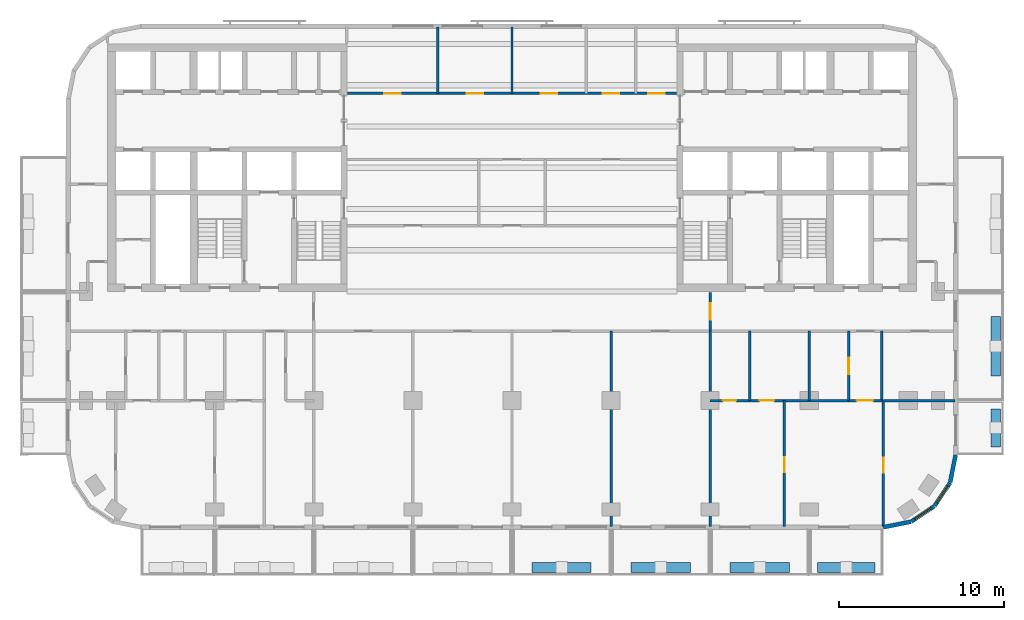
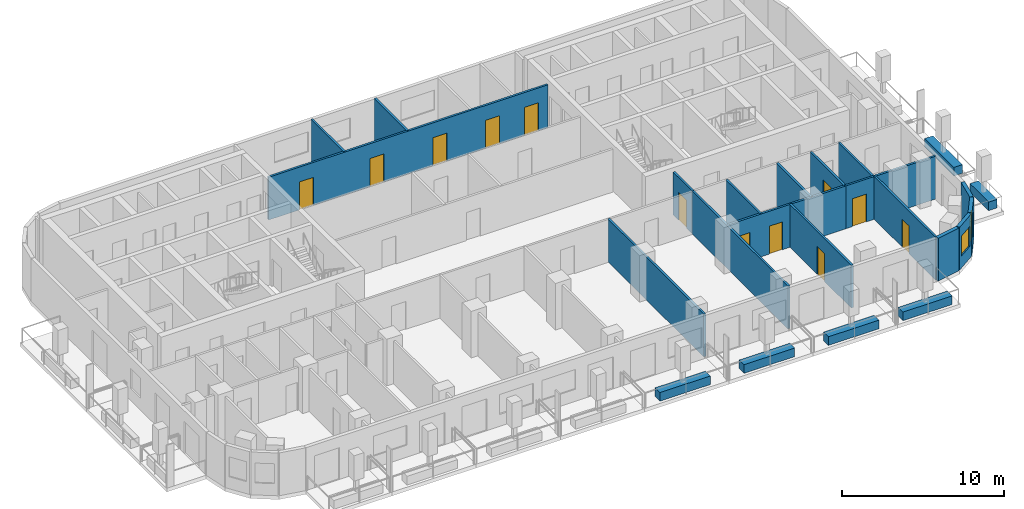
# One storey, part 5 of 11: 25 walls, 12 doors, 2 windows, 14 openings.
"""IFC4 building model written with IfcOpenShell, lengths in metres."""

from ifc_helpers import new_model, si_unit, direction, frame, frame_2d, origin, place, context, subcontext, project, spatial, rectangle, extrude, material, layer, layer_set, type_object, element, fill, save


model = new_model("IFC4")

# Units and contexts
model_context = context("Model", 3, precision=1e-05, world=origin(), true_north=direction((0.0, 1.0)))
body_context = subcontext(model_context, "Body", "Model", "MODEL_VIEW")
ifc_project = project(units=[si_unit("LENGTHUNIT", "METRE"), si_unit("AREAUNIT", "SQUARE_METRE"), si_unit("VOLUMEUNIT", "CUBIC_METRE"), si_unit("PLANEANGLEUNIT", "RADIAN"), si_unit("MASSUNIT", "GRAM", prefix="KILO")], contexts=[model_context])

# Site, building, storey
site_placement = place(None, origin())
site = spatial("IfcSite", under=ifc_project, at=site_placement, CompositionType="ELEMENT")
building_placement = place(site_placement, origin())
building = spatial("IfcBuilding", under=site, at=building_placement, Name="Torana Hotel and Residences", CompositionType="ELEMENT")
storey_placement = place(building_placement, frame((0.0, 0.0, 239.60009765625)))
storey = spatial("IfcBuildingStorey", under=building, at=storey_placement, Name="L63", CompositionType="ELEMENT", Elevation=239.60009765625)

# Wall
ifc_material_1 = material(Name="Black aluminium composite panel", Category="aluminium")
ifc_layer_1 = layer(ifc_material_1, 0.00390625, Name="Cladding", Category="cladding")
ifc_material_2 = material(Name="Ventilated air cavity")
ifc_layer_2 = layer(ifc_material_2, 0.0400390625, Name="Ventilated cavity", Category="cavity")
ifc_material_3 = material(Name="Mineral wool insulation")
ifc_layer_3 = layer(ifc_material_3, 0.090087890625, Name="Insulation", Category="insulation")
ifc_material_4 = material(Name="Steel S280GD", Category="steel")
ifc_layer_4 = layer(ifc_material_4, 0.092041015625, Name="Steel stud frame", Category="structure")
ifc_material_5 = material(Name="Fire rated plasterboard")
ifc_layer_5 = layer(ifc_material_5, 0.011962890625, Name="Inner board", Category="finish")
ifc_layer_6 = layer(ifc_material_5, 0.011962890625, Name="Second board", Category="finish")
ifc_layer_set_1 = layer_set([ifc_layer_1, ifc_layer_2, ifc_layer_3, ifc_layer_4, ifc_layer_5, ifc_layer_6], Name="EW1 EXTERNAL WALL BLACK METAL CLAD 250")
wall_type_1 = type_object("IfcWallType", Name="EW1 EXTERNAL WALL BLACK METAL CLAD 250", PredefinedType="SOLIDWALL", material=ifc_layer_set_1)
wall_1_placement = place(storey_placement, frame((22.499755859375, -29.272705078125, 0.0), z_axis=(0.0, 0.0, 1.0), x_axis=(0.980775640221, 0.19513878023, 0.0)))
element("IfcWall", 1, at=wall_1_placement, inside=storey, type_object=wall_type_1, Name="External wall L63 e0.15", PredefinedType="SOLIDWALL", context=body_context, shape_type="SweptSolid", body=[
    extrude(rectangle(XDim=1.681396484375, YDim=0.25, at=frame_2d((0.8408203125, 0.0))), origin(), (0.0, 0.0, 1.0), 3.219970703125),
])

# Wall, opening, window
wall_2_placement = place(storey_placement, frame((24.194091796875, -28.92578125, 0.0), z_axis=(0.0, 0.0, 1.0), x_axis=(0.831482937015, 0.55555029066, 0.0)))
wall_2 = element("IfcWall", 2, at=wall_2_placement, inside=storey, type_object=wall_type_1, Name="External wall L63 e0.16", PredefinedType="SOLIDWALL", context=body_context, shape_type="SweptSolid", body=[
    extrude(rectangle(XDim=1.65625, YDim=0.25, at=frame_2d((0.828125, 0.0))), origin(), (0.0, 0.0, 1.0), 3.219970703125),
])
opening_1_placement = place(wall_2_placement, frame((0.228271484375, 0.0, 0.89990234375)))
opening_1 = element("IfcOpeningElement", 3, at=opening_1_placement, cuts=wall_2, Name="Opening W5", PredefinedType="OPENING", context=body_context, shape_type="SweptSolid", body=[
    extrude(rectangle(XDim=1.199951171875, YDim=1.5, at=frame_2d((0.60009765625, 0.75))), frame((0.0, 0.135009765625, 0.0), z_axis=(0.0, -1.0, 0.0), x_axis=(1.0, 0.0, 0.0)), (0.0, 0.0, 1.0), 0.27001953125),
])
ifc_material_6 = material(Name="Dark glass in black aluminium frame", Category="aluminium")
window_type = type_object("IfcWindowType", Name="W5 CORNER FACET WINDOW 1200x1500", PartitioningType="SINGLE_PANEL", PredefinedType="WINDOW", material=ifc_material_6)
window_1_placement = place(opening_1_placement, origin())
window_1 = element("IfcWindow", 4, at=window_1_placement, inside=storey, type_object=window_type, Name="Window L63 e0.16", OverallHeight=1.5, OverallWidth=1.199951171875, PartitioningType="SINGLE_PANEL", PredefinedType="WINDOW", context=body_context, shape_type="SweptSolid", body=[
    extrude(rectangle(XDim=1.199951171875, YDim=1.5, at=frame_2d((0.60009765625, 0.75))), frame((0.0, 0.030029296875, 0.0), z_axis=(0.0, -1.0, 0.0), x_axis=(1.0, 0.0, 0.0)), (0.0, 0.0, 1.0), 0.06005859375),
])
fill(opening_1, window_1)

wall_3_placement = place(storey_placement, frame((25.605712890625, -27.97119140625, 0.0), z_axis=(0.0, 0.0, 1.0), x_axis=(0.55555029066, 0.831482937015, 0.0)))
wall_3 = element("IfcWall", 5, at=wall_3_placement, inside=storey, type_object=wall_type_1, Name="External wall L63 e0.17", PredefinedType="SOLIDWALL", context=body_context, shape_type="SweptSolid", body=[
    extrude(rectangle(XDim=1.65625, YDim=0.25, at=frame_2d((0.828125, 0.0))), origin(), (0.0, 0.0, 1.0), 3.219970703125),
])
opening_2_placement = place(wall_3_placement, frame((0.228271484375, 0.0, 0.89990234375)))
opening_2 = element("IfcOpeningElement", 6, at=opening_2_placement, cuts=wall_3, Name="Opening W5", PredefinedType="OPENING", context=body_context, shape_type="SweptSolid", body=[
    extrude(rectangle(XDim=1.199951171875, YDim=1.5, at=frame_2d((0.60009765625, 0.75))), frame((0.0, 0.135009765625, 0.0), z_axis=(0.0, -1.0, 0.0), x_axis=(1.0, 0.0, 0.0)), (0.0, 0.0, 1.0), 0.27001953125),
])
window_2_placement = place(opening_2_placement, origin())
window_2 = element("IfcWindow", 7, at=window_2_placement, inside=storey, type_object=window_type, Name="Window L63 e0.17", OverallHeight=1.5, OverallWidth=1.199951171875, PartitioningType="SINGLE_PANEL", PredefinedType="WINDOW", context=body_context, shape_type="SweptSolid", body=[
    extrude(rectangle(XDim=1.199951171875, YDim=1.5, at=frame_2d((0.60009765625, 0.75))), frame((0.0, 0.030029296875, 0.0), z_axis=(0.0, -1.0, 0.0), x_axis=(1.0, 0.0, 0.0)), (0.0, 0.0, 1.0), 0.06005859375),
])
fill(opening_2, window_2)

# Walls
wall_4_placement = place(storey_placement, frame((26.544677734375, -26.548828125, 0.0), z_axis=(0.0, 0.0, 1.0), x_axis=(0.195026884138, 0.980797896849, 0.0)))
element("IfcWall", 8, at=wall_4_placement, inside=storey, type_object=wall_type_1, Name="External wall L63 e0.18", PredefinedType="SOLIDWALL", context=body_context, shape_type="SweptSolid", body=[
    extrude(rectangle(XDim=1.68115234375, YDim=0.25, at=frame_2d((0.840576171875, 0.0))), origin(), (0.0, 0.0, 1.0), 3.219970703125),
])
ifc_material_7 = material(Name="Gypsum plaster")
ifc_layer_7 = layer(ifc_material_7, 0.014892578125, Name="Plaster", Category="finish")
ifc_material_8 = material(Name="Concrete blockwork", Category="masonry")
ifc_layer_8 = layer(ifc_material_8, 0.1201171875, Name="Blockwork", Category="structure")
ifc_layer_9 = layer(ifc_material_7, 0.014892578125, Name="Plaster", Category="finish")
ifc_layer_set_2 = layer_set([ifc_layer_7, ifc_layer_8, ifc_layer_9], Name="FIRE PARTITION 150 BLOCKWORK")
wall_type_2 = type_object("IfcWallType", Name="FIRE PARTITION 150 BLOCKWORK", PredefinedType="PARTITIONING", material=ifc_layer_set_2)
wall_5_placement = place(storey_placement, frame((22.39990234375, -21.60009765625, 0.0), z_axis=(0.0, 0.0, 1.0), x_axis=(0.0, 1.0, 0.0)))
element("IfcWall", 9, at=wall_5_placement, inside=storey, type_object=wall_type_2, Name="Partition L63", PredefinedType="PARTITIONING", context=body_context, shape_type="SweptSolid", body=[
    extrude(rectangle(XDim=4.2001953125, YDim=0.14990234375, at=frame_2d((2.10009765625, 0.0))), origin(), (0.0, 0.0, 1.0), 3.219970703125),
])

# Wall, opening, door
wall_6_placement = place(storey_placement, frame((20.39990234375, -21.60009765625, 0.0), z_axis=(0.0, 0.0, 1.0), x_axis=(0.0, 1.0, 0.0)))
wall_6 = element("IfcWall", 10, at=wall_6_placement, inside=storey, type_object=wall_type_2, Name="Partition L63", PredefinedType="PARTITIONING", context=body_context, shape_type="SweptSolid", body=[
    extrude(rectangle(XDim=4.2001953125, YDim=0.14990234375, at=frame_2d((2.10009765625, 0.0))), origin(), (0.0, 0.0, 1.0), 3.219970703125),
])
opening_3_placement = place(wall_6_placement, frame((1.60009765625, 0.0, 0.0)))
opening_3 = element("IfcOpeningElement", 11, at=opening_3_placement, cuts=wall_6, Name="Opening L63-64", PredefinedType="OPENING", context=body_context, shape_type="SweptSolid", body=[
    extrude(rectangle(XDim=1.0, YDim=2.10009765625, at=frame_2d((0.5, 1.050048828125))), frame((0.0, 0.0849609375, 0.0), z_axis=(0.0, -1.0, 0.0), x_axis=(1.0, 0.0, 0.0)), (0.0, 0.0, 1.0), 0.169921875),
])
ifc_material_9 = material(Name="Steel S235", Category="steel")
door_type_1 = type_object("IfcDoorType", Name="ENTRY FIRE DOOR D6 1000x2100", OperationType="SINGLE_SWING_LEFT", PredefinedType="DOOR", material=ifc_material_9)
door_1_placement = place(opening_3_placement, origin())
door_1 = element("IfcDoor", 12, at=door_1_placement, inside=storey, type_object=door_type_1, Name="Door L63", OperationType="SINGLE_SWING_RIGHT", OverallHeight=2.10009765625, OverallWidth=1.0, PredefinedType="DOOR", context=body_context, shape_type="SweptSolid", body=[
    extrude(rectangle(XDim=1.0, YDim=2.10009765625, at=frame_2d((0.5, 1.050048828125))), frame((0.0, 0.02490234375, 0.0), z_axis=(0.0, -1.0, 0.0), x_axis=(1.0, 0.0, 0.0)), (0.0, 0.0, 1.0), 0.050048828125),
])
fill(opening_3, door_1)

wall_7_placement = place(storey_placement, frame((12.0, -17.39990234375, 0.0), z_axis=(0.0, 0.0, 1.0), x_axis=(0.0, 1.0, 0.0)))
wall_7 = element("IfcWall", 13, at=wall_7_placement, inside=storey, type_object=wall_type_2, Name="Partition L63", PredefinedType="PARTITIONING", context=body_context, shape_type="SweptSolid", body=[
    extrude(rectangle(XDim=2.349853515625, YDim=0.14990234375, at=frame_2d((1.1748046875, 0.0))), origin(), (0.0, 0.0, 1.0), 3.219970703125),
])
opening_4_placement = place(wall_7_placement, frame((0.699951171875, 0.0, 0.0)))
opening_4 = element("IfcOpeningElement", 14, at=opening_4_placement, cuts=wall_7, Name="Opening L63-38", PredefinedType="OPENING", context=body_context, shape_type="SweptSolid", body=[
    extrude(rectangle(XDim=1.0, YDim=2.10009765625, at=frame_2d((0.5, 1.050048828125))), frame((0.0, 0.0849609375, 0.0), z_axis=(0.0, -1.0, 0.0), x_axis=(1.0, 0.0, 0.0)), (0.0, 0.0, 1.0), 0.169921875),
])
door_2_placement = place(opening_4_placement, origin())
door_2 = element("IfcDoor", 15, at=door_2_placement, inside=storey, type_object=door_type_1, Name="Door L63", OperationType="SINGLE_SWING_RIGHT", OverallHeight=2.10009765625, OverallWidth=1.0, PredefinedType="DOOR", context=body_context, shape_type="SweptSolid", body=[
    extrude(rectangle(XDim=1.0, YDim=2.10009765625, at=frame_2d((0.5, 1.050048828125))), frame((0.0, 0.02490234375, 0.0), z_axis=(0.0, -1.0, 0.0), x_axis=(1.0, 0.0, 0.0)), (0.0, 0.0, 1.0), 0.050048828125),
])
fill(opening_4, door_2)

wall_8_placement = place(storey_placement, frame((20.39990234375, -21.60009765625, 0.0), z_axis=(0.0, 0.0, 1.0), x_axis=(1.0, 0.0, 0.0)))
wall_8 = element("IfcWall", 16, at=wall_8_placement, inside=storey, type_object=wall_type_2, Name="Partition L63", PredefinedType="PARTITIONING", context=body_context, shape_type="SweptSolid", body=[
    extrude(rectangle(XDim=2.0, YDim=0.14990234375, at=frame_2d((1.0, 0.0))), origin(), (0.0, 0.0, 1.0), 3.219970703125),
])
opening_5_placement = place(wall_8_placement, frame((0.47998046875, 0.0, 0.0)))
opening_5 = element("IfcOpeningElement", 17, at=opening_5_placement, cuts=wall_8, Name="Opening L63-65", PredefinedType="OPENING", context=body_context, shape_type="SweptSolid", body=[
    extrude(rectangle(XDim=1.0, YDim=2.10009765625, at=frame_2d((0.5, 1.050048828125))), frame((0.0, 0.0849609375, 0.0), z_axis=(0.0, -1.0, 0.0), x_axis=(1.0, 0.0, 0.0)), (0.0, 0.0, 1.0), 0.169921875),
])
door_3_placement = place(opening_5_placement, frame((0.5, 0.0, 0.0), z_axis=(0.0, 0.0, 1.0), x_axis=(-1.0, 0.0, 0.0)))
door_3 = element("IfcDoor", 18, at=door_3_placement, inside=storey, type_object=door_type_1, Name="Door L63", OperationType="SINGLE_SWING_RIGHT", OverallHeight=2.10009765625, OverallWidth=1.0, PredefinedType="DOOR", context=body_context, shape_type="SweptSolid", body=[
    extrude(rectangle(XDim=1.0, YDim=2.10009765625, at=frame_2d((0.0, 1.050048828125))), frame((0.0, -0.02490234375, 0.0), z_axis=(0.0, 1.0, 0.0), x_axis=(-1.0, 0.0, 0.0)), (0.0, 0.0, 1.0), 0.050048828125),
])
fill(opening_5, door_3)

# Wall, openings, doors
wall_9_placement = place(storey_placement, frame((-9.949951171875, -3.0, 0.0), z_axis=(0.0, 0.0, 1.0), x_axis=(1.0, 0.0, 0.0)))
wall_9 = element("IfcWall", 19, at=wall_9_placement, inside=storey, type_object=wall_type_2, Name="Partition L63", PredefinedType="PARTITIONING", context=body_context, shape_type="SweptSolid", body=[
    extrude(rectangle(XDim=19.89990234375, YDim=0.14990234375, at=frame_2d((9.949951171875, 0.0))), origin(), (0.0, 0.0, 1.0), 3.219970703125),
])
opening_6_placement = place(wall_9_placement, frame((2.199951171875, 0.0, 0.0)))
opening_6 = element("IfcOpeningElement", 20, at=opening_6_placement, cuts=wall_9, Name="Opening L63-50", PredefinedType="OPENING", context=body_context, shape_type="SweptSolid", body=[
    extrude(rectangle(XDim=1.0, YDim=2.10009765625, at=frame_2d((0.5, 1.050048828125))), frame((0.0, 0.0849609375, 0.0), z_axis=(0.0, -1.0, 0.0), x_axis=(1.0, 0.0, 0.0)), (0.0, 0.0, 1.0), 0.169921875),
])
opening_7_placement = place(wall_9_placement, frame((7.199951171875, 0.0, 0.0)))
opening_7 = element("IfcOpeningElement", 21, at=opening_7_placement, cuts=wall_9, Name="Opening L63-51", PredefinedType="OPENING", context=body_context, shape_type="SweptSolid", body=[
    extrude(rectangle(XDim=1.0, YDim=2.10009765625, at=frame_2d((0.5, 1.050048828125))), frame((0.0, 0.0849609375, 0.0), z_axis=(0.0, -1.0, 0.0), x_axis=(1.0, 0.0, 0.0)), (0.0, 0.0, 1.0), 0.169921875),
])
opening_8_placement = place(wall_9_placement, frame((11.699951171875, 0.0, 0.0)))
opening_8 = element("IfcOpeningElement", 22, at=opening_8_placement, cuts=wall_9, Name="Opening L63-52", PredefinedType="OPENING", context=body_context, shape_type="SweptSolid", body=[
    extrude(rectangle(XDim=1.0, YDim=2.10009765625, at=frame_2d((0.5, 1.050048828125))), frame((0.0, 0.0849609375, 0.0), z_axis=(0.0, -1.0, 0.0), x_axis=(1.0, 0.0, 0.0)), (0.0, 0.0, 1.0), 0.169921875),
])
opening_9_placement = place(wall_9_placement, frame((15.449951171875, 0.0, 0.0)))
opening_9 = element("IfcOpeningElement", 23, at=opening_9_placement, cuts=wall_9, Name="Opening L63-53", PredefinedType="OPENING", context=body_context, shape_type="SweptSolid", body=[
    extrude(rectangle(XDim=1.0, YDim=2.10009765625, at=frame_2d((0.5, 1.050048828125))), frame((0.0, 0.0849609375, 0.0), z_axis=(0.0, -1.0, 0.0), x_axis=(1.0, 0.0, 0.0)), (0.0, 0.0, 1.0), 0.169921875),
])
opening_10_placement = place(wall_9_placement, frame((18.199951171875, 0.0, 0.0)))
opening_10 = element("IfcOpeningElement", 24, at=opening_10_placement, cuts=wall_9, Name="Opening L63-54", PredefinedType="OPENING", context=body_context, shape_type="SweptSolid", body=[
    extrude(rectangle(XDim=1.0, YDim=2.10009765625, at=frame_2d((0.5, 1.050048828125))), frame((0.0, 0.0849609375, 0.0), z_axis=(0.0, -1.0, 0.0), x_axis=(1.0, 0.0, 0.0)), (0.0, 0.0, 1.0), 0.169921875),
])
door_4_placement = place(opening_6_placement, origin())
door_4 = element("IfcDoor", 25, at=door_4_placement, inside=storey, type_object=door_type_1, Name="Door L63", OperationType="SINGLE_SWING_RIGHT", OverallHeight=2.10009765625, OverallWidth=1.0, PredefinedType="DOOR", context=body_context, shape_type="SweptSolid", body=[
    extrude(rectangle(XDim=1.0, YDim=2.10009765625, at=frame_2d((0.5, 1.050048828125))), frame((0.0, 0.02490234375, 0.0), z_axis=(0.0, -1.0, 0.0), x_axis=(1.0, 0.0, 0.0)), (0.0, 0.0, 1.0), 0.050048828125),
])
fill(opening_6, door_4)
door_5_placement = place(opening_7_placement, origin())
door_5 = element("IfcDoor", 26, at=door_5_placement, inside=storey, type_object=door_type_1, Name="Door L63", OperationType="SINGLE_SWING_RIGHT", OverallHeight=2.10009765625, OverallWidth=1.0, PredefinedType="DOOR", context=body_context, shape_type="SweptSolid", body=[
    extrude(rectangle(XDim=1.0, YDim=2.10009765625, at=frame_2d((0.5, 1.050048828125))), frame((0.0, 0.02490234375, 0.0), z_axis=(0.0, -1.0, 0.0), x_axis=(1.0, 0.0, 0.0)), (0.0, 0.0, 1.0), 0.050048828125),
])
fill(opening_7, door_5)
door_6_placement = place(opening_8_placement, origin())
door_6 = element("IfcDoor", 27, at=door_6_placement, inside=storey, type_object=door_type_1, Name="Door L63", OperationType="SINGLE_SWING_RIGHT", OverallHeight=2.10009765625, OverallWidth=1.0, PredefinedType="DOOR", context=body_context, shape_type="SweptSolid", body=[
    extrude(rectangle(XDim=1.0, YDim=2.10009765625, at=frame_2d((0.5, 1.050048828125))), frame((0.0, 0.02490234375, 0.0), z_axis=(0.0, -1.0, 0.0), x_axis=(1.0, 0.0, 0.0)), (0.0, 0.0, 1.0), 0.050048828125),
])
fill(opening_8, door_6)
door_7_placement = place(opening_9_placement, origin())
door_7 = element("IfcDoor", 28, at=door_7_placement, inside=storey, type_object=door_type_1, Name="Door L63", OperationType="SINGLE_SWING_RIGHT", OverallHeight=2.10009765625, OverallWidth=1.0, PredefinedType="DOOR", context=body_context, shape_type="SweptSolid", body=[
    extrude(rectangle(XDim=1.0, YDim=2.10009765625, at=frame_2d((0.5, 1.050048828125))), frame((0.0, 0.02490234375, 0.0), z_axis=(0.0, -1.0, 0.0), x_axis=(1.0, 0.0, 0.0)), (0.0, 0.0, 1.0), 0.050048828125),
])
fill(opening_9, door_7)
door_8_placement = place(opening_10_placement, origin())
door_8 = element("IfcDoor", 29, at=door_8_placement, inside=storey, type_object=door_type_1, Name="Door L63", OperationType="SINGLE_SWING_RIGHT", OverallHeight=2.10009765625, OverallWidth=1.0, PredefinedType="DOOR", context=body_context, shape_type="SweptSolid", body=[
    extrude(rectangle(XDim=1.0, YDim=2.10009765625, at=frame_2d((0.5, 1.050048828125))), frame((0.0, 0.02490234375, 0.0), z_axis=(0.0, -1.0, 0.0), x_axis=(1.0, 0.0, 0.0)), (0.0, 0.0, 1.0), 0.050048828125),
])
fill(opening_10, door_8)

# Wall, opening, door
ifc_material_10 = material(Name="Gypsum plasterboard")
ifc_layer_10 = layer(ifc_material_10, 0.012451171875, Name="Plasterboard", Category="finish")
ifc_layer_11 = layer(ifc_material_10, 0.012451171875, Name="Plasterboard", Category="finish")
ifc_layer_12 = layer(ifc_material_4, 0.10009765625, Name="Steel studs with mineral wool", Category="insulation")
ifc_layer_13 = layer(ifc_material_10, 0.012451171875, Name="Plasterboard", Category="finish")
ifc_layer_14 = layer(ifc_material_10, 0.012451171875, Name="Plasterboard", Category="finish")
ifc_layer_set_3 = layer_set([ifc_layer_10, ifc_layer_11, ifc_layer_12, ifc_layer_13, ifc_layer_14], Name="PARTITION 150 PLASTERBOARD")
wall_type_3 = type_object("IfcWallType", Name="PARTITION 150 PLASTERBOARD", PredefinedType="PARTITIONING", material=ifc_layer_set_3)
wall_10_placement = place(storey_placement, frame((22.5, -29.216552734375, 0.0), z_axis=(0.0, 0.0, 1.0), x_axis=(0.0, 1.0, 0.0)))
wall_10 = element("IfcWall", 30, at=wall_10_placement, inside=storey, type_object=wall_type_3, Name="Partition L63", PredefinedType="PARTITIONING", context=body_context, shape_type="SweptSolid", body=[
    extrude(rectangle(XDim=7.616455078125, YDim=0.14990234375, at=frame_2d((3.80810546875, 0.0))), origin(), (0.0, 0.0, 1.0), 3.219970703125),
])
opening_11_placement = place(wall_10_placement, frame((3.24658203125, 0.0, 0.0)))
opening_11 = element("IfcOpeningElement", 31, at=opening_11_placement, cuts=wall_10, Name="Opening L63-67", PredefinedType="OPENING", context=body_context, shape_type="SweptSolid", body=[
    extrude(rectangle(XDim=0.89990234375, YDim=2.10009765625, at=frame_2d((0.449951171875, 1.050048828125))), frame((0.0, 0.0849609375, 0.0), z_axis=(0.0, -1.0, 0.0), x_axis=(1.0, 0.0, 0.0)), (0.0, 0.0, 1.0), 0.169921875),
])
ifc_material_11 = material(Name="Timber door, oiled ash", Category="wood")
door_type_2 = type_object("IfcDoorType", Name="ROOM DOOR D7 900x2100", OperationType="SINGLE_SWING_LEFT", PredefinedType="DOOR", material=ifc_material_11)
door_9_placement = place(opening_11_placement, origin())
door_9 = element("IfcDoor", 32, at=door_9_placement, inside=storey, type_object=door_type_2, Name="Door L63", OperationType="SINGLE_SWING_RIGHT", OverallHeight=2.10009765625, OverallWidth=0.89990234375, PredefinedType="DOOR", context=body_context, shape_type="SweptSolid", body=[
    extrude(rectangle(XDim=0.89990234375, YDim=2.10009765625, at=frame_2d((0.449951171875, 1.050048828125))), frame((0.0, 0.02490234375, 0.0), z_axis=(0.0, -1.0, 0.0), x_axis=(1.0, 0.0, 0.0)), (0.0, 0.0, 1.0), 0.050048828125),
])
fill(opening_11, door_9)

# Wall
wall_11_placement = place(storey_placement, frame((18.0, -21.60009765625, 0.0), z_axis=(0.0, 0.0, 1.0), x_axis=(0.0, 1.0, 0.0)))
element("IfcWall", 33, at=wall_11_placement, inside=storey, type_object=wall_type_3, Name="Partition L63", PredefinedType="PARTITIONING", context=body_context, shape_type="SweptSolid", body=[
    extrude(rectangle(XDim=4.2001953125, YDim=0.14990234375, at=frame_2d((2.10009765625, 0.0))), origin(), (0.0, 0.0, 1.0), 3.219970703125),
])

# Wall, opening, door
wall_12_placement = place(storey_placement, frame((16.5, -29.219970703125, 0.0), z_axis=(0.0, 0.0, 1.0), x_axis=(0.0, 1.0, 0.0)))
wall_12 = element("IfcWall", 34, at=wall_12_placement, inside=storey, type_object=wall_type_3, Name="Partition L63", PredefinedType="PARTITIONING", context=body_context, shape_type="SweptSolid", body=[
    extrude(rectangle(XDim=7.619873046875, YDim=0.14990234375, at=frame_2d((3.81005859375, 0.0))), origin(), (0.0, 0.0, 1.0), 3.219970703125),
])
opening_12_placement = place(wall_12_placement, frame((3.2900390625, 0.0, 0.0)))
opening_12 = element("IfcOpeningElement", 35, at=opening_12_placement, cuts=wall_12, Name="Opening L63-66", PredefinedType="OPENING", context=body_context, shape_type="SweptSolid", body=[
    extrude(rectangle(XDim=0.89990234375, YDim=2.10009765625, at=frame_2d((0.449951171875, 1.050048828125))), frame((0.0, 0.0849609375, 0.0), z_axis=(0.0, -1.0, 0.0), x_axis=(1.0, 0.0, 0.0)), (0.0, 0.0, 1.0), 0.169921875),
])
door_10_placement = place(opening_12_placement, origin())
door_10 = element("IfcDoor", 36, at=door_10_placement, inside=storey, type_object=door_type_2, Name="Door L63", OperationType="SINGLE_SWING_RIGHT", OverallHeight=2.10009765625, OverallWidth=0.89990234375, PredefinedType="DOOR", context=body_context, shape_type="SweptSolid", body=[
    extrude(rectangle(XDim=0.89990234375, YDim=2.10009765625, at=frame_2d((0.449951171875, 1.050048828125))), frame((0.0, 0.02490234375, 0.0), z_axis=(0.0, -1.0, 0.0), x_axis=(1.0, 0.0, 0.0)), (0.0, 0.0, 1.0), 0.050048828125),
])
fill(opening_12, door_10)

# Walls
wall_13_placement = place(storey_placement, frame((14.39990234375, -21.60009765625, 0.0), z_axis=(0.0, 0.0, 1.0), x_axis=(0.0, 1.0, 0.0)))
element("IfcWall", 37, at=wall_13_placement, inside=storey, type_object=wall_type_3, Name="Partition L63", PredefinedType="PARTITIONING", context=body_context, shape_type="SweptSolid", body=[
    extrude(rectangle(XDim=4.2001953125, YDim=0.14990234375, at=frame_2d((2.10009765625, 0.0))), origin(), (0.0, 0.0, 1.0), 3.219970703125),
])
for number, where, z_axis, x_axis, name in (
    (38, (12.0, -29.219970703125, 0.0), (0.0, 0.0, 1.0), (0.0, 1.0, 0.0), "Partition L63"),
    (39, (6.0, -29.219970703125, 0.0), (0.0, 0.0, 1.0), (0.0, 1.0, 0.0), "Partition L63"),
):
    element("IfcWall", number, at=place(storey_placement, frame(where, z_axis=z_axis, x_axis=x_axis)), inside=storey, type_object=wall_type_3, Name=name, PredefinedType="PARTITIONING", context=body_context, shape_type="SweptSolid", body=[
        extrude(rectangle(XDim=11.820068359375, YDim=0.14990234375, at=frame_2d((5.91015625, 0.0))), origin(), (0.0, 0.0, 1.0), 3.219970703125),
    ])
for number, where, z_axis, x_axis, name in (
    (40, (0.0, -3.0, 0.0), (0.0, 0.0, 1.0), (0.0, 1.0, 0.0), "Partition L63"),
    (41, (-4.5, -3.0, 0.0), (0.0, 0.0, 1.0), (0.0, 1.0, 0.0), "Partition L63"),
):
    element("IfcWall", number, at=place(storey_placement, frame(where, z_axis=z_axis, x_axis=x_axis)), inside=storey, type_object=wall_type_3, Name=name, PredefinedType="PARTITIONING", context=body_context, shape_type="SweptSolid", body=[
        extrude(rectangle(XDim=4.02001953125, YDim=0.14990234375, at=frame_2d((2.010009765625, 0.0))), origin(), (0.0, 0.0, 1.0), 3.219970703125),
    ])

# Wall, openings, doors
wall_14_placement = place(storey_placement, frame((12.0, -21.60009765625, 0.0), z_axis=(0.0, 0.0, 1.0), x_axis=(1.0, 0.0, 0.0)))
wall_14 = element("IfcWall", 42, at=wall_14_placement, inside=storey, type_object=wall_type_3, Name="Partition L63", PredefinedType="PARTITIONING", context=body_context, shape_type="SweptSolid", body=[
    extrude(rectangle(XDim=8.39990234375, YDim=0.14990234375, at=frame_2d((4.199951171875, 0.0))), origin(), (0.0, 0.0, 1.0), 3.219970703125),
])
opening_13_placement = place(wall_14_placement, frame((0.780029296875, 0.0, 0.0)))
opening_13 = element("IfcOpeningElement", 43, at=opening_13_placement, cuts=wall_14, Name="Opening L63-62", PredefinedType="OPENING", context=body_context, shape_type="SweptSolid", body=[
    extrude(rectangle(XDim=0.800048828125, YDim=2.10009765625, at=frame_2d((0.39990234375, 1.050048828125))), frame((0.0, 0.0849609375, 0.0), z_axis=(0.0, -1.0, 0.0), x_axis=(1.0, 0.0, 0.0)), (0.0, 0.0, 1.0), 0.169921875),
])
opening_14_placement = place(wall_14_placement, frame((2.97998046875, 0.0, 0.0)))
opening_14 = element("IfcOpeningElement", 44, at=opening_14_placement, cuts=wall_14, Name="Opening L63-63", PredefinedType="OPENING", context=body_context, shape_type="SweptSolid", body=[
    extrude(rectangle(XDim=0.89990234375, YDim=2.10009765625, at=frame_2d((0.449951171875, 1.050048828125))), frame((0.0, 0.0849609375, 0.0), z_axis=(0.0, -1.0, 0.0), x_axis=(1.0, 0.0, 0.0)), (0.0, 0.0, 1.0), 0.169921875),
])
ifc_material_12 = material(Name="Timber door, painted", Category="wood")
door_type_3 = type_object("IfcDoorType", Name="BATH DOOR D13 800x2100", OperationType="SINGLE_SWING_LEFT", PredefinedType="DOOR", material=ifc_material_12)
door_11_placement = place(opening_13_placement, origin())
door_11 = element("IfcDoor", 45, at=door_11_placement, inside=storey, type_object=door_type_3, Name="Door L63", OperationType="SINGLE_SWING_RIGHT", OverallHeight=2.10009765625, OverallWidth=0.800048828125, PredefinedType="DOOR", context=body_context, shape_type="SweptSolid", body=[
    extrude(rectangle(XDim=0.800048828125, YDim=2.10009765625, at=frame_2d((0.39990234375, 1.050048828125))), frame((0.0, 0.02490234375, 0.0), z_axis=(0.0, -1.0, 0.0), x_axis=(1.0, 0.0, 0.0)), (0.0, 0.0, 1.0), 0.050048828125),
])
fill(opening_13, door_11)
door_12_placement = place(opening_14_placement, origin())
door_12 = element("IfcDoor", 46, at=door_12_placement, inside=storey, type_object=door_type_2, Name="Door L63", OperationType="SINGLE_SWING_RIGHT", OverallHeight=2.10009765625, OverallWidth=0.89990234375, PredefinedType="DOOR", context=body_context, shape_type="SweptSolid", body=[
    extrude(rectangle(XDim=0.89990234375, YDim=2.10009765625, at=frame_2d((0.449951171875, 1.050048828125))), frame((0.0, 0.02490234375, 0.0), z_axis=(0.0, -1.0, 0.0), x_axis=(1.0, 0.0, 0.0)), (0.0, 0.0, 1.0), 0.050048828125),
])
fill(opening_14, door_12)

# Walls
wall_15_placement = place(storey_placement, frame((22.5, -21.60009765625, 0.0), z_axis=(0.0, 0.0, 1.0), x_axis=(1.0, 0.0, 0.0)))
element("IfcWall", 47, at=wall_15_placement, inside=storey, type_object=wall_type_3, Name="Partition L63", PredefinedType="PARTITIONING", context=body_context, shape_type="SweptSolid", body=[
    extrude(rectangle(XDim=4.320068359375, YDim=0.14990234375, at=frame_2d((2.16015625, 0.0))), origin(), (0.0, 0.0, 1.0), 3.219970703125),
])
ifc_material_13 = material(Name="Concrete C40/50 precast", Category="concrete")
ifc_layer_15 = layer(ifc_material_13, 0.10009765625, Name="Planter shell", Category="structure")
ifc_material_14 = material(Name="Root resistant membrane")
ifc_layer_16 = layer(ifc_material_14, 0.00390625, Name="Waterproofing membrane", Category="membrane")
ifc_material_15 = material(Name="Drainage board with filter fleece")
ifc_layer_17 = layer(ifc_material_15, 0.02001953125, Name="Drainage board", Category="drainage")
ifc_material_16 = material(Name="Growing medium")
ifc_layer_18 = layer(ifc_material_16, 0.47607421875, Name="Planting substrate", Category="soil")
ifc_layer_set_4 = layer_set([ifc_layer_15, ifc_layer_16, ifc_layer_17, ifc_layer_18], Name="PL1 BALCONY PLANTER 600")
wall_type_4 = type_object("IfcWallType", Name="PL1 BALCONY PLANTER 600", PredefinedType="USERDEFINED", material=ifc_layer_set_4)
for number, where, z_axis, x_axis, name in (
    (48, (4.800048828125, -31.699951171875, 0.0), (0.0, 0.0, 1.0), (-1.0, 0.0, 0.0), "Planter 05"),
    (49, (10.800048828125, -31.699951171875, 0.0), (0.0, 0.0, 1.0), (-1.0, 0.0, 0.0), "Planter 06"),
    (50, (16.800048828125, -31.699951171875, 0.0), (0.0, 0.0, 1.0), (-1.0, 0.0, 0.0), "Planter 07"),
):
    element("IfcWall", number, at=place(storey_placement, frame(where, z_axis=z_axis, x_axis=x_axis)), inside=storey, type_object=wall_type_4, Name=name, ObjectType="PLANTER", PredefinedType="USERDEFINED", context=body_context, shape_type="SweptSolid", body=[
        extrude(rectangle(XDim=3.60009765625, YDim=0.60009765625, at=frame_2d((1.800048828125, 0.0))), origin(), (0.0, 0.0, 1.0), 0.64990234375),
    ])
wall_16_placement = place(storey_placement, frame((22.0, -31.699951171875, 0.0), z_axis=(0.0, 0.0, 1.0), x_axis=(-1.0, 0.0, 0.0)))
element("IfcWall", 51, at=wall_16_placement, inside=storey, type_object=wall_type_4, Name="Planter 08", ObjectType="PLANTER", PredefinedType="USERDEFINED", context=body_context, shape_type="SweptSolid", body=[
    extrude(rectangle(XDim=3.5, YDim=0.60009765625, at=frame_2d((1.75, 0.0))), origin(), (0.0, 0.0, 1.0), 0.64990234375),
])
wall_17_placement = place(storey_placement, frame((29.300048828125, -22.10009765625, 0.0), z_axis=(0.0, 0.0, 1.0), x_axis=(0.0, -1.0, 0.0)))
element("IfcWall", 52, at=wall_17_placement, inside=storey, type_object=wall_type_4, Name="Planter 12", ObjectType="PLANTER", PredefinedType="USERDEFINED", context=body_context, shape_type="SweptSolid", body=[
    extrude(rectangle(XDim=2.2998046875, YDim=0.60009765625, at=frame_2d((1.14990234375, 0.0))), origin(), (0.0, 0.0, 1.0), 0.64990234375),
])
wall_18_placement = place(storey_placement, frame((29.300048828125, -16.5, 0.0), z_axis=(0.0, 0.0, 1.0), x_axis=(0.0, -1.0, 0.0)))
element("IfcWall", 53, at=wall_18_placement, inside=storey, type_object=wall_type_4, Name="Planter 13", ObjectType="PLANTER", PredefinedType="USERDEFINED", context=body_context, shape_type="SweptSolid", body=[
    extrude(rectangle(XDim=3.60009765625, YDim=0.60009765625, at=frame_2d((1.800048828125, 0.0))), origin(), (0.0, 0.0, 1.0), 0.64990234375),
])

save(model, "model.ifc")
